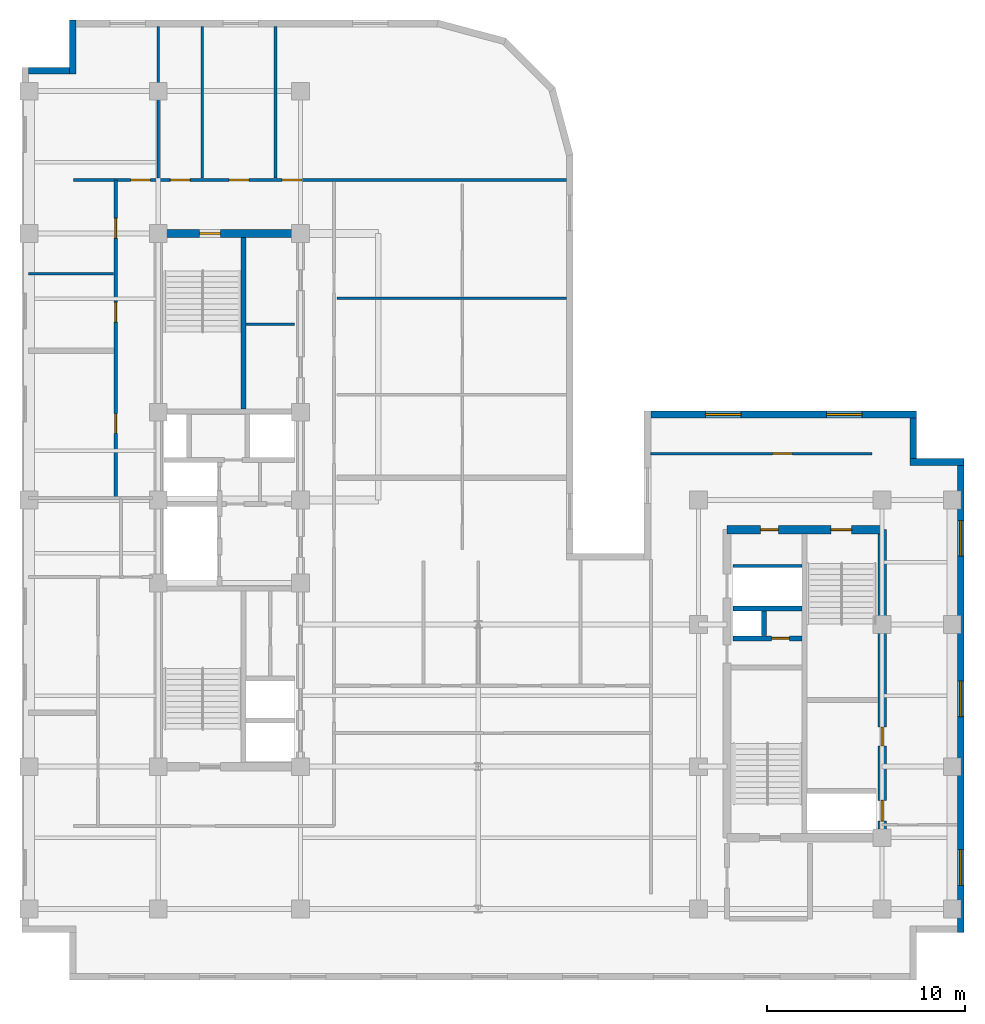
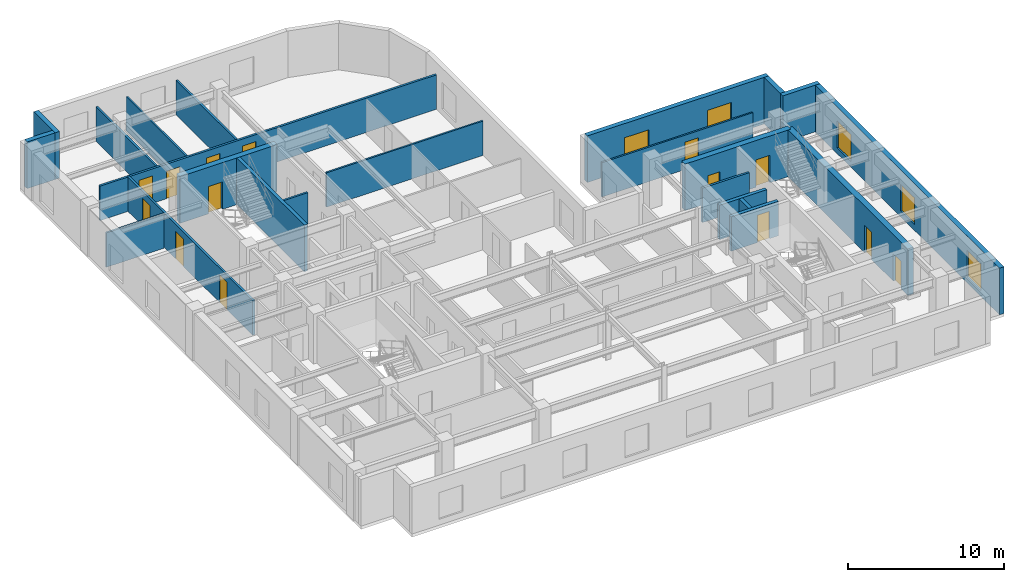
# One storey, part 6 of 10: 23 walls, 14 doors, 5 windows, 19 openings.
"""IFC4 building model written with IfcOpenShell, lengths in metres."""

from ifc_helpers import new_model, entity, si_unit, converted_unit, direction, frame, origin_with_axes, origin_2d_with_axis, place, context, subcontext, project, spatial, polyline, rectangle, outline, extrude, material, layer, layer_set, type_object, element, fill, save


model = new_model("IFC4")

# Units and contexts
model_context = context("Model", 3, precision=1e-05, world=origin_with_axes(), true_north=direction((0.0, 1.0)))
body_context = subcontext(model_context, "Body", "Model", "MODEL_VIEW")
ifc_project = project(units=[si_unit("LENGTHUNIT", "METRE"), si_unit("AREAUNIT", "SQUARE_METRE"), si_unit("VOLUMEUNIT", "CUBIC_METRE"), converted_unit("PLANEANGLEUNIT", "DEGREE", entity("IfcPlaneAngleMeasure", 0.017453292519943295), si_unit("PLANEANGLEUNIT", "RADIAN"), dimensions=[0, 0, 0, 0, 0, 0, 0]), si_unit("MASSUNIT", "GRAM", prefix="KILO"), si_unit("THERMODYNAMICTEMPERATUREUNIT", "KELVIN")], contexts=[model_context])

# Site, building, storey
site_placement = place(None, origin_with_axes())
site = spatial("IfcSite", under=ifc_project, at=site_placement, CompositionType="ELEMENT")
building_placement = place(site_placement, origin_with_axes())
building = spatial("IfcBuilding", under=site, at=building_placement, Name="Varnlund Millrace Tower", CompositionType="ELEMENT")
storey_placement = place(building_placement, frame((0.0, 0.0, 240.3), z_axis=(0.0, 0.0, 1.0), x_axis=(1.0, 0.0, 0.0)))
storey = spatial("IfcBuildingStorey", under=building, at=storey_placement, Name="L59", CompositionType="ELEMENT", Elevation=240.3)

# Wall, opening, door
ifc_material_1 = material(Name="Concrete C60/75", Category="concrete")
ifc_layer_1 = layer(ifc_material_1, 0.42, Name="Concrete C60/75")
ifc_layer_set_1 = layer_set([ifc_layer_1], Name="Concrete C60/75")
wall_type_1 = type_object("IfcWallType", Name="Type-CoreWall-Shear-420-C60", PredefinedType="SHEAR", material=ifc_layer_set_1)
wall_1_placement = place(storey_placement, frame((11.4, 37.8, 0.0), z_axis=(0.0, 0.0, 1.0), x_axis=(1.0, 0.0, 0.0)))
wall_1 = element("IfcWall", 1, at=wall_1_placement, inside=storey, type_object=wall_type_1, Name="Type-CoreWall-Shear-420-C60", PredefinedType="SHEAR", context=body_context, shape_type="SweptSolid", body=[
    extrude(outline(polyline([(0.0, -0.21), (7.2, -0.21), (7.2, 0.21), (0.0, 0.21), (0.0, -0.21)])), origin_with_axes(), (0.0, 0.0, 1.0), 3.66),
])
opening_1_placement = place(wall_1_placement, frame((2.625, 0.0, 0.0), z_axis=(0.0, 0.0, 1.0), x_axis=(1.0, 0.0, 0.0)))
opening_1 = element("IfcOpeningElement", 2, at=opening_1_placement, cuts=wall_1, Name="Opening L59:DR-STA2", PredefinedType="OPENING", context=body_context, shape_type="SweptSolid", body=[
    extrude(rectangle(XDim=1.05, YDim=0.44, at=origin_2d_with_axis()), origin_with_axes(), (0.0, 0.0, 1.0), 2.15),
])
ifc_material_2 = material(Name="Fire-rated hollow steel door", Category="steel")
door_type_1 = type_object("IfcDoorType", Name="Type-FireDoor-Stair-1050X2150", OperationType="NOTDEFINED", PredefinedType="DOOR", material=ifc_material_2)
door_1_placement = place(wall_1_placement, frame((2.625, 0.0, 0.0), z_axis=(0.0, 0.0, 1.0), x_axis=(1.0, 0.0, 0.0)))
door_1 = element("IfcDoor", 3, at=door_1_placement, inside=storey, type_object=door_type_1, Name="Type-FireDoor-Stair-1050X2150", OperationType="SINGLE_SWING_RIGHT", OverallHeight=2.15, OverallWidth=1.05, PredefinedType="DOOR", context=body_context, shape_type="SweptSolid", body=[
    extrude(rectangle(XDim=1.05, YDim=0.09, at=origin_2d_with_axis()), origin_with_axes(), (0.0, 0.0, 1.0), 2.15),
])
fill(opening_1, door_1)

# Wall, openings, doors
wall_2_placement = place(storey_placement, frame((40.2, 22.8, 0.0), z_axis=(0.0, 0.0, 1.0), x_axis=(1.0, 0.0, 0.0)))
wall_2 = element("IfcWall", 4, at=wall_2_placement, inside=storey, type_object=wall_type_1, Name="Type-CoreWall-Shear-420-C60", PredefinedType="SHEAR", context=body_context, shape_type="SweptSolid", body=[
    extrude(outline(polyline([(0.0, -0.21), (7.85, -0.21), (7.85, 0.21), (0.0, 0.21), (0.0, -0.21)])), origin_with_axes(), (0.0, 0.0, 1.0), 3.66),
])
opening_2_placement = place(wall_2_placement, frame((5.775, 0.0, 0.0), z_axis=(0.0, 0.0, 1.0), x_axis=(1.0, 0.0, 0.0)))
opening_2 = element("IfcOpeningElement", 5, at=opening_2_placement, cuts=wall_2, Name="Opening L59:DR-STB2", PredefinedType="OPENING", context=body_context, shape_type="SweptSolid", body=[
    extrude(rectangle(XDim=1.05, YDim=0.44, at=origin_2d_with_axis()), origin_with_axes(), (0.0, 0.0, 1.0), 2.15),
])
opening_3_placement = place(wall_2_placement, frame((2.15, 0.0, 0.0), z_axis=(0.0, 0.0, 1.0), x_axis=(1.0, 0.0, 0.0)))
opening_3 = element("IfcOpeningElement", 6, at=opening_3_placement, cuts=wall_2, Name="Opening L59:DR-CB-NW", PredefinedType="OPENING", context=body_context, shape_type="SweptSolid", body=[
    extrude(rectangle(XDim=0.9, YDim=0.44, at=origin_2d_with_axis()), origin_with_axes(), (0.0, 0.0, 1.0), 2.15),
])
ifc_material_3 = material(Name="Fire-rated hollow steel service closet door", Category="steel")
door_type_2 = type_object("IfcDoorType", Name="Type-FireDoor-Closet-900X2150", OperationType="NOTDEFINED", PredefinedType="DOOR", material=ifc_material_3)
door_2_placement = place(wall_2_placement, frame((2.15, 0.0, 0.0), z_axis=(0.0, 0.0, 1.0), x_axis=(1.0, 0.0, 0.0)))
door_2 = element("IfcDoor", 7, at=door_2_placement, inside=storey, type_object=door_type_2, Name="Type-FireDoor-Closet-900X2150", OperationType="SINGLE_SWING_LEFT", OverallHeight=2.15, OverallWidth=0.9, PredefinedType="DOOR", context=body_context, shape_type="SweptSolid", body=[
    extrude(rectangle(XDim=0.9, YDim=0.09, at=origin_2d_with_axis()), origin_with_axes(), (0.0, 0.0, 1.0), 2.15),
])
fill(opening_3, door_2)
door_3_placement = place(wall_2_placement, frame((5.775, 0.0, 0.0), z_axis=(0.0, 0.0, 1.0), x_axis=(1.0, 0.0, 0.0)))
door_3 = element("IfcDoor", 8, at=door_3_placement, inside=storey, type_object=door_type_1, Name="Type-FireDoor-Stair-1050X2150", OperationType="SINGLE_SWING_RIGHT", OverallHeight=2.15, OverallWidth=1.05, PredefinedType="DOOR", context=body_context, shape_type="SweptSolid", body=[
    extrude(rectangle(XDim=1.05, YDim=0.09, at=origin_2d_with_axis()), origin_with_axes(), (0.0, 0.0, 1.0), 2.15),
])
fill(opening_2, door_3)

wall_3_placement = place(storey_placement, frame((48.05, 7.2, 0.0), z_axis=(0.0, 0.0, 1.0), x_axis=(0.0, 1.0, 0.0)))
wall_3 = element("IfcWall", 9, at=wall_3_placement, inside=storey, type_object=wall_type_1, Name="Type-CoreWall-Shear-420-C60", PredefinedType="SHEAR", context=body_context, shape_type="SweptSolid", body=[
    extrude(outline(polyline([(0.0, -0.21), (15.6, -0.21), (15.6, 0.21), (0.0, 0.21), (0.0, -0.21)])), origin_with_axes(), (0.0, 0.0, 1.0), 3.66),
])
opening_4_placement = place(wall_3_placement, frame((1.375, 0.0, 0.0), z_axis=(0.0, 0.0, 1.0), x_axis=(1.0, 0.0, 0.0)))
opening_4 = element("IfcOpeningElement", 10, at=opening_4_placement, cuts=wall_3, Name="Opening L59:LD-ELV-H3", PredefinedType="OPENING", context=body_context, shape_type="SweptSolid", body=[
    extrude(rectangle(XDim=1.05, YDim=0.44, at=origin_2d_with_axis()), origin_with_axes(), (0.0, 0.0, 1.0), 2.15),
])
opening_5_placement = place(wall_3_placement, frame((5.125, 0.0, 0.0), z_axis=(0.0, 0.0, 1.0), x_axis=(1.0, 0.0, 0.0)))
opening_5 = element("IfcOpeningElement", 11, at=opening_5_placement, cuts=wall_3, Name="Opening L59:DR-CB-WC", PredefinedType="OPENING", context=body_context, shape_type="SweptSolid", body=[
    extrude(rectangle(XDim=0.95, YDim=0.44, at=origin_2d_with_axis()), origin_with_axes(), (0.0, 0.0, 1.0), 2.15),
])
ifc_material_4 = material(Name="Fire-rated hollow steel core service door", Category="steel")
door_type_3 = type_object("IfcDoorType", Name="Type-FireDoor-Service-950X2150", OperationType="NOTDEFINED", PredefinedType="DOOR", material=ifc_material_4)
door_4_placement = place(wall_3_placement, frame((5.125, 0.0, 0.0), z_axis=(0.0, 0.0, 1.0), x_axis=(1.0, 0.0, 0.0)))
door_4 = element("IfcDoor", 12, at=door_4_placement, inside=storey, type_object=door_type_3, Name="Type-FireDoor-Service-950X2150", OperationType="SINGLE_SWING_LEFT", OverallHeight=2.15, OverallWidth=0.95, PredefinedType="DOOR", context=body_context, shape_type="SweptSolid", body=[
    extrude(rectangle(XDim=0.95, YDim=0.09, at=origin_2d_with_axis()), origin_with_axes(), (0.0, 0.0, 1.0), 2.15),
])
fill(opening_5, door_4)
ifc_material_5 = material(Name="Architectural bronze sliding landing door")
door_type_4 = type_object("IfcDoorType", Name="Type-LiftLandingDoor-Compact-1050X2150", OperationType="NOTDEFINED", PredefinedType="DOOR", material=ifc_material_5)
door_5_placement = place(wall_3_placement, frame((1.375, 0.0, 0.0), z_axis=(0.0, 0.0, 1.0), x_axis=(1.0, 0.0, 0.0)))
door_5 = element("IfcDoor", 13, at=door_5_placement, inside=storey, type_object=door_type_4, Name="Type-LiftLandingDoor-Compact-1050X2150", OperationType="SLIDING_TO_LEFT", OverallHeight=2.15, OverallWidth=1.05, PredefinedType="DOOR", context=body_context, shape_type="SweptSolid", body=[
    extrude(rectangle(XDim=1.05, YDim=0.09, at=origin_2d_with_axis()), origin_with_axes(), (0.0, 0.0, 1.0), 2.15),
])
fill(opening_4, door_5)

# Wall, openings, windows
ifc_material_6 = material(Name="Precast concrete C50/60", Category="concrete")
ifc_layer_2 = layer(ifc_material_6, 0.34, Name="Precast concrete C50/60")
ifc_layer_set_2 = layer_set([ifc_layer_2], Name="Precast concrete C50/60")
wall_type_2 = type_object("IfcWallType", Name="Type-ExtWall-Precast-Upper-340", PredefinedType="SOLIDWALL", material=ifc_layer_set_2)
wall_4_placement = place(storey_placement, frame((36.34, 28.63, 0.0), z_axis=(0.0, 0.0, 1.0), x_axis=(1.0, 0.0, 0.0)))
wall_4 = element("IfcWall", 14, at=wall_4_placement, inside=storey, type_object=wall_type_2, Name="Type-ExtWall-Precast-Upper-340", PredefinedType="SOLIDWALL", context=body_context, shape_type="SweptSolid", body=[
    extrude(outline(polyline([(0.0, -0.17), (13.46, -0.17), (13.46, 0.17), (0.0, 0.17), (0.0, -0.17)])), origin_with_axes(), (0.0, 0.0, 1.0), 3.66),
])
opening_6_placement = place(wall_4_placement, frame((3.665, 0.0, 0.45), z_axis=(0.0, 0.0, 1.0), x_axis=(1.0, 0.0, 0.0)))
opening_6 = element("IfcOpeningElement", 15, at=opening_6_placement, cuts=wall_4, Name="Opening L59:WN-02", PredefinedType="OPENING", context=body_context, shape_type="SweptSolid", body=[
    extrude(rectangle(XDim=1.8, YDim=0.36, at=origin_2d_with_axis()), origin_with_axes(), (0.0, 0.0, 1.0), 2.1),
])
opening_7_placement = place(wall_4_placement, frame((9.795, 0.0, 0.45), z_axis=(0.0, 0.0, 1.0), x_axis=(1.0, 0.0, 0.0)))
opening_7 = element("IfcOpeningElement", 16, at=opening_7_placement, cuts=wall_4, Name="Opening L59:WN-03", PredefinedType="OPENING", context=body_context, shape_type="SweptSolid", body=[
    extrude(rectangle(XDim=1.8, YDim=0.36, at=origin_2d_with_axis()), origin_with_axes(), (0.0, 0.0, 1.0), 2.1),
])
ifc_material_7 = material(Name="Argon low-e triple glazing in thermally broken bronze frame", Category="glass")
window_type = type_object("IfcWindowType", Name="Type-Window-Punched-1800X2100", PartitioningType="SINGLE_PANEL", PredefinedType="WINDOW", material=ifc_material_7)
window_1_placement = place(wall_4_placement, frame((3.665, 0.0, 0.45), z_axis=(0.0, 0.0, 1.0), x_axis=(1.0, 0.0, 0.0)))
window_1 = element("IfcWindow", 17, at=window_1_placement, inside=storey, type_object=window_type, Name="Type-Window-Punched-1800X2100", OverallHeight=2.1, OverallWidth=1.8, PredefinedType="WINDOW", context=body_context, shape_type="SweptSolid", body=[
    extrude(rectangle(XDim=1.8, YDim=0.09, at=origin_2d_with_axis()), origin_with_axes(), (0.0, 0.0, 1.0), 2.1),
])
fill(opening_6, window_1)
window_2_placement = place(wall_4_placement, frame((9.795, 0.0, 0.45), z_axis=(0.0, 0.0, 1.0), x_axis=(1.0, 0.0, 0.0)))
window_2 = element("IfcWindow", 18, at=window_2_placement, inside=storey, type_object=window_type, Name="Type-Window-Punched-1800X2100", OverallHeight=2.1, OverallWidth=1.8, PredefinedType="WINDOW", context=body_context, shape_type="SweptSolid", body=[
    extrude(rectangle(XDim=1.8, YDim=0.09, at=origin_2d_with_axis()), origin_with_axes(), (0.0, 0.0, 1.0), 2.1),
])
fill(opening_7, window_2)

# Walls
wall_5_placement = place(storey_placement, frame((49.63, 28.46, 0.0), z_axis=(0.0, 0.0, 1.0), x_axis=(0.0, -1.0, 0.0)))
element("IfcWall", 19, at=wall_5_placement, inside=storey, type_object=wall_type_2, Name="Type-ExtWall-Precast-Upper-340", PredefinedType="SOLIDWALL", context=body_context, shape_type="SweptSolid", body=[
    extrude(outline(polyline([(0.0, -0.17), (2.06, -0.17), (2.06, 0.17), (0.0, 0.17), (0.0, -0.17)])), origin_with_axes(), (0.0, 0.0, 1.0), 3.66),
])
wall_6_placement = place(storey_placement, frame((49.46, 26.23, 0.0), z_axis=(0.0, 0.0, 1.0), x_axis=(1.0, 0.0, 0.0)))
element("IfcWall", 20, at=wall_6_placement, inside=storey, type_object=wall_type_2, Name="Type-ExtWall-Precast-Upper-340", PredefinedType="SOLIDWALL", context=body_context, shape_type="SweptSolid", body=[
    extrude(outline(polyline([(0.0, -0.17), (2.74, -0.17), (2.74, 0.17), (0.0, 0.17), (0.0, -0.17)])), origin_with_axes(), (0.0, 0.0, 1.0), 3.66),
])

# Wall, openings, windows
wall_7_placement = place(storey_placement, frame((52.03, 26.06, 0.0), z_axis=(0.0, 0.0, 1.0), x_axis=(0.0, -1.0, 0.0)))
wall_7 = element("IfcWall", 21, at=wall_7_placement, inside=storey, type_object=wall_type_2, Name="Type-ExtWall-Precast-Upper-340", PredefinedType="SOLIDWALL", context=body_context, shape_type="SweptSolid", body=[
    extrude(outline(polyline([(0.0, -0.17), (23.66, -0.17), (23.66, 0.17), (0.0, 0.17), (0.0, -0.17)])), origin_with_axes(), (0.0, 0.0, 1.0), 3.66),
])
opening_8_placement = place(wall_7_placement, frame((3.696, 0.0, 0.45), z_axis=(0.0, 0.0, 1.0), x_axis=(1.0, 0.0, 0.0)))
opening_8 = element("IfcOpeningElement", 22, at=opening_8_placement, cuts=wall_7, Name="Opening L59:WN-04", PredefinedType="OPENING", context=body_context, shape_type="SweptSolid", body=[
    extrude(rectangle(XDim=1.8, YDim=0.36, at=origin_2d_with_axis()), origin_with_axes(), (0.0, 0.0, 1.0), 2.1),
])
opening_9_placement = place(wall_7_placement, frame((11.83, 0.0, 0.45), z_axis=(0.0, 0.0, 1.0), x_axis=(1.0, 0.0, 0.0)))
opening_9 = element("IfcOpeningElement", 23, at=opening_9_placement, cuts=wall_7, Name="Opening L59:WN-05", PredefinedType="OPENING", context=body_context, shape_type="SweptSolid", body=[
    extrude(rectangle(XDim=1.8, YDim=0.36, at=origin_2d_with_axis()), origin_with_axes(), (0.0, 0.0, 1.0), 2.1),
])
opening_10_placement = place(wall_7_placement, frame((20.364, 0.0, 0.45), z_axis=(0.0, 0.0, 1.0), x_axis=(1.0, 0.0, 0.0)))
opening_10 = element("IfcOpeningElement", 24, at=opening_10_placement, cuts=wall_7, Name="Opening L59:WN-06", PredefinedType="OPENING", context=body_context, shape_type="SweptSolid", body=[
    extrude(rectangle(XDim=1.8, YDim=0.36, at=origin_2d_with_axis()), origin_with_axes(), (0.0, 0.0, 1.0), 2.1),
])
window_3_placement = place(wall_7_placement, frame((3.696, 0.0, 0.45), z_axis=(0.0, 0.0, 1.0), x_axis=(1.0, 0.0, 0.0)))
window_3 = element("IfcWindow", 25, at=window_3_placement, inside=storey, type_object=window_type, Name="Type-Window-Punched-1800X2100", OverallHeight=2.1, OverallWidth=1.8, PredefinedType="WINDOW", context=body_context, shape_type="SweptSolid", body=[
    extrude(rectangle(XDim=1.8, YDim=0.09, at=origin_2d_with_axis()), origin_with_axes(), (0.0, 0.0, 1.0), 2.1),
])
fill(opening_8, window_3)
window_4_placement = place(wall_7_placement, frame((11.83, 0.0, 0.45), z_axis=(0.0, 0.0, 1.0), x_axis=(1.0, 0.0, 0.0)))
window_4 = element("IfcWindow", 26, at=window_4_placement, inside=storey, type_object=window_type, Name="Type-Window-Punched-1800X2100", OverallHeight=2.1, OverallWidth=1.8, PredefinedType="WINDOW", context=body_context, shape_type="SweptSolid", body=[
    extrude(rectangle(XDim=1.8, YDim=0.09, at=origin_2d_with_axis()), origin_with_axes(), (0.0, 0.0, 1.0), 2.1),
])
fill(opening_9, window_4)
window_5_placement = place(wall_7_placement, frame((20.364, 0.0, 0.45), z_axis=(0.0, 0.0, 1.0), x_axis=(1.0, 0.0, 0.0)))
window_5 = element("IfcWindow", 27, at=window_5_placement, inside=storey, type_object=window_type, Name="Type-Window-Punched-1800X2100", OverallHeight=2.1, OverallWidth=1.8, PredefinedType="WINDOW", context=body_context, shape_type="SweptSolid", body=[
    extrude(rectangle(XDim=1.8, YDim=0.09, at=origin_2d_with_axis()), origin_with_axes(), (0.0, 0.0, 1.0), 2.1),
])
fill(opening_10, window_5)

# Walls
wall_8_placement = place(storey_placement, frame((4.84, 46.03, 0.0), z_axis=(0.0, 0.0, 1.0), x_axis=(1.0, 0.0, 0.0)))
element("IfcWall", 28, at=wall_8_placement, inside=storey, type_object=wall_type_2, Name="Type-ExtWall-Precast-Upper-340", PredefinedType="SOLIDWALL", context=body_context, shape_type="SweptSolid", body=[
    extrude(outline(polyline([(0.0, -0.17), (2.06, -0.17), (2.06, 0.17), (0.0, 0.17), (0.0, -0.17)])), origin_with_axes(), (0.0, 0.0, 1.0), 3.66),
])
wall_9_placement = place(storey_placement, frame((7.07, 45.86, 0.0), z_axis=(0.0, 0.0, 1.0), x_axis=(0.0, 1.0, 0.0)))
element("IfcWall", 29, at=wall_9_placement, inside=storey, type_object=wall_type_2, Name="Type-ExtWall-Precast-Upper-340", PredefinedType="SOLIDWALL", context=body_context, shape_type="SweptSolid", body=[
    extrude(outline(polyline([(0.0, -0.17), (2.74, -0.17), (2.74, 0.17), (0.0, 0.17), (0.0, -0.17)])), origin_with_axes(), (0.0, 0.0, 1.0), 3.66),
])
ifc_material_8 = material(Name="Fire-rated gypsum board on cold-formed steel framing", Category="steel")
ifc_layer_3 = layer(ifc_material_8, 0.16, Name="Fire-rated gypsum board on cold-formed steel framing")
ifc_layer_set_3 = layer_set([ifc_layer_3], Name="Fire-rated gypsum board on cold-formed steel framing")
wall_type_3 = type_object("IfcWallType", Name="Type-Partition-Corridor-160", PredefinedType="PARTITIONING", material=ifc_layer_set_3)
wall_10_placement = place(storey_placement, frame((40.5, 20.96, 0.0), z_axis=(0.0, 0.0, 1.0), x_axis=(1.0, 0.0, 0.0)))
element("IfcWall", 30, at=wall_10_placement, inside=storey, type_object=wall_type_3, Name="Type-Partition-Corridor-160", PredefinedType="PARTITIONING", context=body_context, shape_type="SweptSolid", body=[
    extrude(outline(polyline([(0.0, -0.08), (3.5, -0.08), (3.5, 0.08), (0.0, 0.08), (0.0, -0.08)])), origin_with_axes(), (0.0, 0.0, 1.0), 2.7),
])

# Wall, openings, doors
wall_11_placement = place(storey_placement, frame((7.1, 40.5, 0.0), z_axis=(0.0, 0.0, 1.0), x_axis=(1.0, 0.0, 0.0)))
wall_11 = element("IfcWall", 31, at=wall_11_placement, inside=storey, type_object=wall_type_3, Name="Type-Partition-Corridor-160", PredefinedType="PARTITIONING", context=body_context, shape_type="SweptSolid", body=[
    extrude(outline(polyline([(0.0, -0.08), (24.965, -0.08), (24.965, 0.08), (0.0, 0.08), (0.0, -0.08)])), origin_with_axes(), (0.0, 0.0, 1.0), 2.7),
])
opening_11_placement = place(wall_11_placement, frame((3.395, 0.0, 0.0), z_axis=(0.0, 0.0, 1.0), x_axis=(1.0, 0.0, 0.0)))
opening_11 = element("IfcOpeningElement", 32, at=opening_11_placement, cuts=wall_11, Name="Opening L59:DR-WAN-01", PredefinedType="OPENING", context=body_context, shape_type="SweptSolid", body=[
    extrude(rectangle(XDim=1.0, YDim=0.18, at=origin_2d_with_axis()), origin_with_axes(), (0.0, 0.0, 1.0), 2.15),
])
opening_12_placement = place(wall_11_placement, frame((5.4175, 0.0, 0.0), z_axis=(0.0, 0.0, 1.0), x_axis=(1.0, 0.0, 0.0)))
opening_12 = element("IfcOpeningElement", 33, at=opening_12_placement, cuts=wall_11, Name="Opening L59:DR-WAN-02", PredefinedType="OPENING", context=body_context, shape_type="SweptSolid", body=[
    extrude(rectangle(XDim=1.0, YDim=0.18, at=origin_2d_with_axis()), origin_with_axes(), (0.0, 0.0, 1.0), 2.15),
])
opening_13_placement = place(wall_11_placement, frame((8.3855, 0.0, 0.0), z_axis=(0.0, 0.0, 1.0), x_axis=(1.0, 0.0, 0.0)))
opening_13 = element("IfcOpeningElement", 34, at=opening_13_placement, cuts=wall_11, Name="Opening L59:DR-WAN-03", PredefinedType="OPENING", context=body_context, shape_type="SweptSolid", body=[
    extrude(rectangle(XDim=1.0, YDim=0.18, at=origin_2d_with_axis()), origin_with_axes(), (0.0, 0.0, 1.0), 2.15),
])
opening_14_placement = place(wall_11_placement, frame((11.068, 0.0, 0.0), z_axis=(0.0, 0.0, 1.0), x_axis=(1.0, 0.0, 0.0)))
opening_14 = element("IfcOpeningElement", 35, at=opening_14_placement, cuts=wall_11, Name="Opening L59:DR-WAN-04", PredefinedType="OPENING", context=body_context, shape_type="SweptSolid", body=[
    extrude(rectangle(XDim=1.0, YDim=0.18, at=origin_2d_with_axis()), origin_with_axes(), (0.0, 0.0, 1.0), 2.15),
])
ifc_material_9 = material(Name="Solid-core white oak and bronze frame door")
door_type_5 = type_object("IfcDoorType", Name="Type-IntDoor-Office-1000X2150", OperationType="NOTDEFINED", PredefinedType="DOOR", material=ifc_material_9)
door_6_placement = place(wall_11_placement, frame((3.395, 0.0, 0.0), z_axis=(0.0, 0.0, 1.0), x_axis=(1.0, 0.0, 0.0)))
door_6 = element("IfcDoor", 36, at=door_6_placement, inside=storey, type_object=door_type_5, Name="Type-IntDoor-Office-1000X2150", OperationType="SINGLE_SWING_LEFT", OverallHeight=2.15, OverallWidth=1.0, PredefinedType="DOOR", context=body_context, shape_type="SweptSolid", body=[
    extrude(rectangle(XDim=1.0, YDim=0.09, at=origin_2d_with_axis()), origin_with_axes(), (0.0, 0.0, 1.0), 2.15),
])
fill(opening_11, door_6)
door_7_placement = place(wall_11_placement, frame((5.4175, 0.0, 0.0), z_axis=(0.0, 0.0, 1.0), x_axis=(1.0, 0.0, 0.0)))
door_7 = element("IfcDoor", 37, at=door_7_placement, inside=storey, type_object=door_type_5, Name="Type-IntDoor-Office-1000X2150", OperationType="SINGLE_SWING_RIGHT", OverallHeight=2.15, OverallWidth=1.0, PredefinedType="DOOR", context=body_context, shape_type="SweptSolid", body=[
    extrude(rectangle(XDim=1.0, YDim=0.09, at=origin_2d_with_axis()), origin_with_axes(), (0.0, 0.0, 1.0), 2.15),
])
fill(opening_12, door_7)
door_8_placement = place(wall_11_placement, frame((8.3855, 0.0, 0.0), z_axis=(0.0, 0.0, 1.0), x_axis=(1.0, 0.0, 0.0)))
door_8 = element("IfcDoor", 38, at=door_8_placement, inside=storey, type_object=door_type_5, Name="Type-IntDoor-Office-1000X2150", OperationType="SINGLE_SWING_LEFT", OverallHeight=2.15, OverallWidth=1.0, PredefinedType="DOOR", context=body_context, shape_type="SweptSolid", body=[
    extrude(rectangle(XDim=1.0, YDim=0.09, at=origin_2d_with_axis()), origin_with_axes(), (0.0, 0.0, 1.0), 2.15),
])
fill(opening_13, door_8)
door_9_placement = place(wall_11_placement, frame((11.068, 0.0, 0.0), z_axis=(0.0, 0.0, 1.0), x_axis=(1.0, 0.0, 0.0)))
door_9 = element("IfcDoor", 39, at=door_9_placement, inside=storey, type_object=door_type_5, Name="Type-IntDoor-Office-1000X2150", OperationType="SINGLE_SWING_RIGHT", OverallHeight=2.15, OverallWidth=1.0, PredefinedType="DOOR", context=body_context, shape_type="SweptSolid", body=[
    extrude(rectangle(XDim=1.0, YDim=0.09, at=origin_2d_with_axis()), origin_with_axes(), (0.0, 0.0, 1.0), 2.15),
])
fill(opening_14, door_9)

wall_12_placement = place(storey_placement, frame((9.25, 24.4, 0.0), z_axis=(0.0, 0.0, 1.0), x_axis=(0.0, 1.0, 0.0)))
wall_12 = element("IfcWall", 40, at=wall_12_placement, inside=storey, type_object=wall_type_3, Name="Type-Partition-Corridor-160", PredefinedType="PARTITIONING", context=body_context, shape_type="SweptSolid", body=[
    extrude(outline(polyline([(0.0, -0.08), (16.1, -0.08), (16.1, 0.08), (0.0, 0.08), (0.0, -0.08)])), origin_with_axes(), (0.0, 0.0, 1.0), 2.7),
])
opening_15_placement = place(wall_12_placement, frame((3.7745, 0.0, 0.0), z_axis=(0.0, 0.0, 1.0), x_axis=(1.0, 0.0, 0.0)))
opening_15 = element("IfcOpeningElement", 41, at=opening_15_placement, cuts=wall_12, Name="Opening L59:DR-WN-01", PredefinedType="OPENING", context=body_context, shape_type="SweptSolid", body=[
    extrude(rectangle(XDim=1.0, YDim=0.18, at=origin_2d_with_axis()), origin_with_axes(), (0.0, 0.0, 1.0), 2.15),
])
opening_16_placement = place(wall_12_placement, frame((9.4115, 0.0, 0.0), z_axis=(0.0, 0.0, 1.0), x_axis=(1.0, 0.0, 0.0)))
opening_16 = element("IfcOpeningElement", 42, at=opening_16_placement, cuts=wall_12, Name="Opening L59:DR-WN-02", PredefinedType="OPENING", context=body_context, shape_type="SweptSolid", body=[
    extrude(rectangle(XDim=1.0, YDim=0.18, at=origin_2d_with_axis()), origin_with_axes(), (0.0, 0.0, 1.0), 2.15),
])
opening_17_placement = place(wall_12_placement, frame((13.662, 0.0, 0.0), z_axis=(0.0, 0.0, 1.0), x_axis=(1.0, 0.0, 0.0)))
opening_17 = element("IfcOpeningElement", 43, at=opening_17_placement, cuts=wall_12, Name="Opening L59:DR-WN-03", PredefinedType="OPENING", context=body_context, shape_type="SweptSolid", body=[
    extrude(rectangle(XDim=1.0, YDim=0.18, at=origin_2d_with_axis()), origin_with_axes(), (0.0, 0.0, 1.0), 2.15),
])
door_10_placement = place(wall_12_placement, frame((3.7745, 0.0, 0.0), z_axis=(0.0, 0.0, 1.0), x_axis=(1.0, 0.0, 0.0)))
door_10 = element("IfcDoor", 44, at=door_10_placement, inside=storey, type_object=door_type_5, Name="Type-IntDoor-Office-1000X2150", OperationType="SINGLE_SWING_LEFT", OverallHeight=2.15, OverallWidth=1.0, PredefinedType="DOOR", context=body_context, shape_type="SweptSolid", body=[
    extrude(rectangle(XDim=1.0, YDim=0.09, at=origin_2d_with_axis()), origin_with_axes(), (0.0, 0.0, 1.0), 2.15),
])
fill(opening_15, door_10)
door_11_placement = place(wall_12_placement, frame((9.4115, 0.0, 0.0), z_axis=(0.0, 0.0, 1.0), x_axis=(1.0, 0.0, 0.0)))
door_11 = element("IfcDoor", 45, at=door_11_placement, inside=storey, type_object=door_type_5, Name="Type-IntDoor-Office-1000X2150", OperationType="SINGLE_SWING_RIGHT", OverallHeight=2.15, OverallWidth=1.0, PredefinedType="DOOR", context=body_context, shape_type="SweptSolid", body=[
    extrude(rectangle(XDim=1.0, YDim=0.09, at=origin_2d_with_axis()), origin_with_axes(), (0.0, 0.0, 1.0), 2.15),
])
fill(opening_16, door_11)
door_12_placement = place(wall_12_placement, frame((13.662, 0.0, 0.0), z_axis=(0.0, 0.0, 1.0), x_axis=(1.0, 0.0, 0.0)))
door_12 = element("IfcDoor", 46, at=door_12_placement, inside=storey, type_object=door_type_5, Name="Type-IntDoor-Office-1000X2150", OperationType="SINGLE_SWING_LEFT", OverallHeight=2.15, OverallWidth=1.0, PredefinedType="DOOR", context=body_context, shape_type="SweptSolid", body=[
    extrude(rectangle(XDim=1.0, YDim=0.09, at=origin_2d_with_axis()), origin_with_axes(), (0.0, 0.0, 1.0), 2.15),
])
fill(opening_17, door_12)

# Walls
ifc_material_10 = material(Name="Acoustic STC-50 gypsum board partition", Category="gypsum")
ifc_layer_4 = layer(ifc_material_10, 0.15, Name="Acoustic STC-50 gypsum board partition")
ifc_layer_set_4 = layer_set([ifc_layer_4], Name="Acoustic STC-50 gypsum board partition")
wall_type_4 = type_object("IfcWallType", Name="Type-Partition-Demising-150", PredefinedType="PARTITIONING", material=ifc_layer_set_4)
for number, where, z_axis, x_axis, name in (
    (47, (11.4, 40.6, 0.0), (0.0, 0.0, 1.0), (0.0, 1.0, 0.0), "Type-Partition-Demising-150"),
    (48, (17.336, 40.6, 0.0), (0.0, 0.0, 1.0), (0.0, 1.0, 0.0), "Type-Partition-Demising-150"),
):
    element("IfcWall", number, at=place(storey_placement, frame(where, z_axis=z_axis, x_axis=x_axis)), inside=storey, type_object=wall_type_4, Name=name, PredefinedType="PARTITIONING", context=body_context, shape_type="SweptSolid", body=[
        extrude(outline(polyline([(0.0, -0.075), (7.665, -0.075), (7.665, 0.075), (0.0, 0.075), (0.0, -0.075)])), origin_with_axes(), (0.0, 0.0, 1.0), 2.7),
    ])
ifc_material_11 = material(Name="Gypsum board tenant partition", Category="gypsum")
ifc_layer_5 = layer(ifc_material_11, 0.125, Name="Gypsum board tenant partition")
ifc_layer_set_5 = layer_set([ifc_layer_5], Name="Gypsum board tenant partition")
wall_type_5 = type_object("IfcWallType", Name="Type-Partition-Tenant-125", PredefinedType="PARTITIONING", material=ifc_layer_set_5)
wall_13_placement = place(storey_placement, frame((4.835, 35.754, 0.0), z_axis=(0.0, 0.0, 1.0), x_axis=(1.0, 0.0, 0.0)))
element("IfcWall", 49, at=wall_13_placement, inside=storey, type_object=wall_type_5, Name="Type-Partition-Tenant-125", PredefinedType="PARTITIONING", context=body_context, shape_type="SweptSolid", body=[
    extrude(outline(polyline([(0.0, -0.0625), (4.295, -0.0625), (4.295, 0.0625), (0.0, 0.0625), (0.0, -0.0625)])), origin_with_axes(), (0.0, 0.0, 1.0), 2.7),
])
wall_14_placement = place(storey_placement, frame((13.635, 40.6, 0.0), z_axis=(0.0, 0.0, 1.0), x_axis=(0.0, 1.0, 0.0)))
element("IfcWall", 50, at=wall_14_placement, inside=storey, type_object=wall_type_5, Name="Type-Partition-Tenant-125", PredefinedType="PARTITIONING", context=body_context, shape_type="SweptSolid", body=[
    extrude(outline(polyline([(0.0, -0.0625), (7.665, -0.0625), (7.665, 0.0625), (0.0, 0.0625), (0.0, -0.0625)])), origin_with_axes(), (0.0, 0.0, 1.0), 2.7),
])
wall_15_placement = place(storey_placement, frame((20.45, 34.512, 0.0), z_axis=(0.0, 0.0, 1.0), x_axis=(1.0, 0.0, 0.0)))
element("IfcWall", 51, at=wall_15_placement, inside=storey, type_object=wall_type_5, Name="Type-Partition-Tenant-125", PredefinedType="PARTITIONING", context=body_context, shape_type="SweptSolid", body=[
    extrude(outline(polyline([(0.0, -0.0625), (11.615, -0.0625), (11.615, 0.0625), (0.0, 0.0625), (0.0, -0.0625)])), origin_with_axes(), (0.0, 0.0, 1.0), 2.7),
])

# Wall, opening, door
wall_16_placement = place(storey_placement, frame((36.335, 26.65, 0.0), z_axis=(0.0, 0.0, 1.0), x_axis=(1.0, 0.0, 0.0)))
wall_16 = element("IfcWall", 52, at=wall_16_placement, inside=storey, type_object=wall_type_5, Name="Type-Partition-Tenant-125", PredefinedType="PARTITIONING", context=body_context, shape_type="SweptSolid", body=[
    extrude(outline(polyline([(0.0, -0.0625), (11.195, -0.0625), (11.195, 0.0625), (0.0, 0.0625), (0.0, -0.0625)])), origin_with_axes(), (0.0, 0.0, 1.0), 2.7),
])
opening_18_placement = place(wall_16_placement, frame((6.665, 0.0, 0.0), z_axis=(0.0, 0.0, 1.0), x_axis=(1.0, 0.0, 0.0)))
opening_18 = element("IfcOpeningElement", 53, at=opening_18_placement, cuts=wall_16, Name="Opening L59:DR-WBN-01", PredefinedType="OPENING", context=body_context, shape_type="SweptSolid", body=[
    extrude(rectangle(XDim=1.0, YDim=0.145, at=origin_2d_with_axis()), origin_with_axes(), (0.0, 0.0, 1.0), 2.15),
])
door_13_placement = place(wall_16_placement, frame((6.665, 0.0, 0.0), z_axis=(0.0, 0.0, 1.0), x_axis=(1.0, 0.0, 0.0)))
door_13 = element("IfcDoor", 54, at=door_13_placement, inside=storey, type_object=door_type_5, Name="Type-IntDoor-Office-1000X2150", OperationType="SINGLE_SWING_RIGHT", OverallHeight=2.15, OverallWidth=1.0, PredefinedType="DOOR", context=body_context, shape_type="SweptSolid", body=[
    extrude(rectangle(XDim=1.0, YDim=0.075, at=origin_2d_with_axis()), origin_with_axes(), (0.0, 0.0, 1.0), 2.15),
])
fill(opening_18, door_13)

# Wall
ifc_material_12 = material(Name="Moisture-resistant gypsum restroom partition", Category="gypsum")
ifc_layer_6 = layer(ifc_material_12, 0.14, Name="Moisture-resistant gypsum restroom partition")
ifc_layer_set_6 = layer_set([ifc_layer_6], Name="Moisture-resistant gypsum restroom partition")
wall_type_6 = type_object("IfcWallType", Name="Type-Partition-Wet-140", PredefinedType="PARTITIONING", material=ifc_layer_set_6)
wall_17_placement = place(storey_placement, frame((15.84, 33.2, 0.0), z_axis=(0.0, 0.0, 1.0), x_axis=(1.0, 0.0, 0.0)))
element("IfcWall", 55, at=wall_17_placement, inside=storey, type_object=wall_type_6, Name="Type-Partition-Wet-140", PredefinedType="PARTITIONING", context=body_context, shape_type="SweptSolid", body=[
    extrude(outline(polyline([(0.0, -0.07), (2.46, -0.07), (2.46, 0.07), (0.0, 0.07), (0.0, -0.07)])), origin_with_axes(), (0.0, 0.0, 1.0), 2.7),
])

# Wall, opening, door
ifc_layer_7 = layer(ifc_material_1, 0.25, Name="Concrete C60/75")
ifc_layer_set_7 = layer_set([ifc_layer_7], Name="Concrete C60/75")
wall_type_7 = type_object("IfcWallType", Name="Type-ShaftWall-Fire-250", PredefinedType="SOLIDWALL", material=ifc_layer_set_7)
wall_18_placement = place(storey_placement, frame((40.5, 17.3, 0.0), z_axis=(0.0, 0.0, 1.0), x_axis=(1.0, 0.0, 0.0)))
wall_18 = element("IfcWall", 56, at=wall_18_placement, inside=storey, type_object=wall_type_7, Name="Type-ShaftWall-Fire-250", PredefinedType="SOLIDWALL", context=body_context, shape_type="SweptSolid", body=[
    extrude(outline(polyline([(0.0, -0.125), (3.5, -0.125), (3.5, 0.125), (0.0, 0.125), (0.0, -0.125)])), origin_with_axes(), (0.0, 0.0, 1.0), 2.7),
])
opening_19_placement = place(wall_18_placement, frame((2.4, 0.0, 0.0), z_axis=(0.0, 0.0, 1.0), x_axis=(1.0, 0.0, 0.0)))
opening_19 = element("IfcOpeningElement", 57, at=opening_19_placement, cuts=wall_18, Name="Opening L59:DR-CB-ELC", PredefinedType="OPENING", context=body_context, shape_type="SweptSolid", body=[
    extrude(rectangle(XDim=0.9, YDim=0.27, at=origin_2d_with_axis()), origin_with_axes(), (0.0, 0.0, 1.0), 2.15),
])
door_14_placement = place(wall_18_placement, frame((2.4, 0.0, 0.0), z_axis=(0.0, 0.0, 1.0), x_axis=(1.0, 0.0, 0.0)))
door_14 = element("IfcDoor", 58, at=door_14_placement, inside=storey, type_object=door_type_2, Name="Type-FireDoor-Closet-900X2150", OperationType="SINGLE_SWING_LEFT", OverallHeight=2.15, OverallWidth=0.9, PredefinedType="DOOR", context=body_context, shape_type="SweptSolid", body=[
    extrude(rectangle(XDim=0.9, YDim=0.09, at=origin_2d_with_axis()), origin_with_axes(), (0.0, 0.0, 1.0), 2.15),
])
fill(opening_19, door_14)

# Walls
wall_19_placement = place(storey_placement, frame((40.5, 18.8, 0.0), z_axis=(0.0, 0.0, 1.0), x_axis=(1.0, 0.0, 0.0)))
element("IfcWall", 59, at=wall_19_placement, inside=storey, type_object=wall_type_7, Name="Type-ShaftWall-Fire-250", PredefinedType="SOLIDWALL", context=body_context, shape_type="SweptSolid", body=[
    extrude(outline(polyline([(0.0, -0.125), (3.5, -0.125), (3.5, 0.125), (0.0, 0.125), (0.0, -0.125)])), origin_with_axes(), (0.0, 0.0, 1.0), 2.7),
])
wall_20_placement = place(storey_placement, frame((42.075, 17.43, 0.0), z_axis=(0.0, 0.0, 1.0), x_axis=(0.0, 1.0, 0.0)))
element("IfcWall", 60, at=wall_20_placement, inside=storey, type_object=wall_type_7, Name="Type-ShaftWall-Fire-250", PredefinedType="SOLIDWALL", context=body_context, shape_type="SweptSolid", body=[
    extrude(outline(polyline([(0.0, -0.125), (1.24, -0.125), (1.24, 0.125), (0.0, 0.125), (0.0, -0.125)])), origin_with_axes(), (0.0, 0.0, 1.0), 2.7),
])
wall_type_8 = type_object("IfcWallType", Name="Type-StairWall-Shear-250", PredefinedType="SHEAR", material=ifc_layer_set_7)
wall_21_placement = place(storey_placement, frame((15.725, 28.9, 0.0), z_axis=(0.0, 0.0, 1.0), x_axis=(0.0, 1.0, 0.0)))
element("IfcWall", 61, at=wall_21_placement, inside=storey, type_object=wall_type_8, Name="Type-StairWall-Shear-250", PredefinedType="SHEAR", context=body_context, shape_type="SweptSolid", body=[
    extrude(outline(polyline([(0.0, -0.125), (8.69, -0.125), (8.69, 0.125), (0.0, 0.125), (0.0, -0.125)])), origin_with_axes(), (0.0, 0.0, 1.0), 3.66),
])

save(model, "model.ifc")
